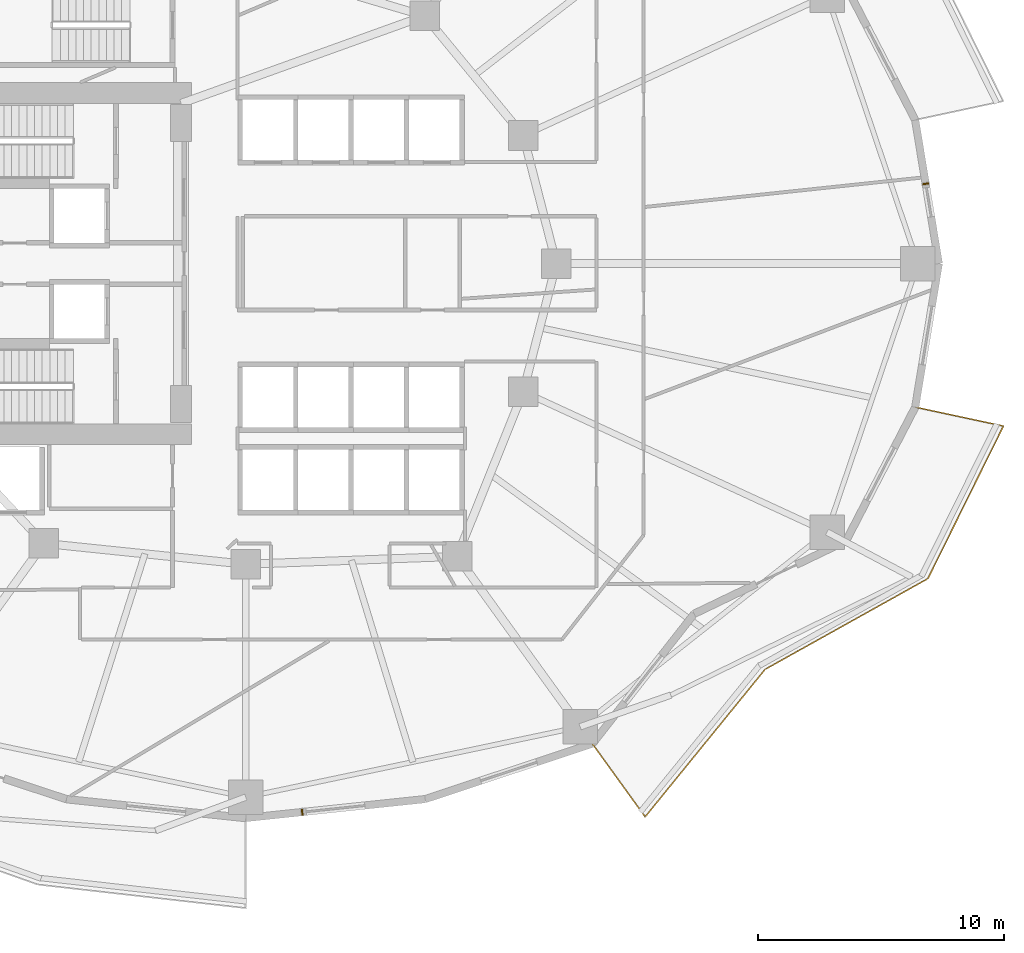
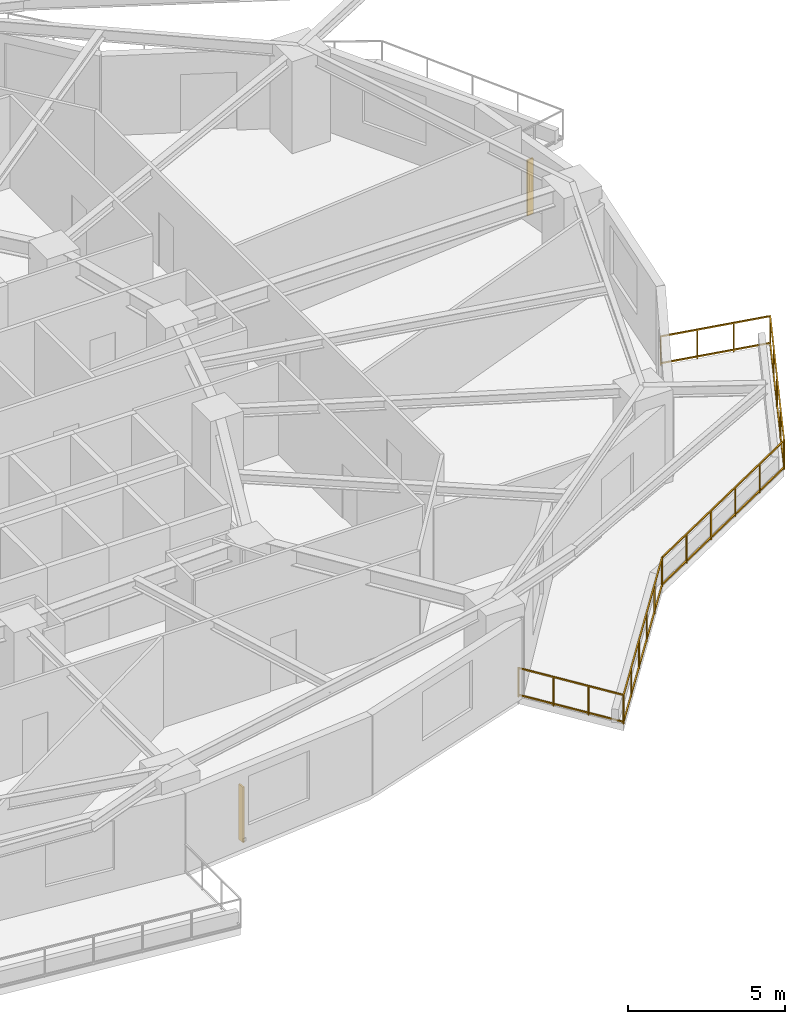
# One storey, part 12 of 14: 2 shading devices, 1 railing.
"""IFC4 building model written with IfcOpenShell, lengths in metres."""

from ifc_helpers import new_model, si_unit, direction, frame, origin, origin_2d, place, context, subcontext, project, spatial, rectangle, extrude, material, type_object, element, save


model = new_model("IFC4")

# Units and contexts
model_context = context("Model", 3, precision=1e-05, world=origin(), true_north=direction((0.0, 1.0)))
body_context = subcontext(model_context, "Body", "Model", "MODEL_VIEW")
ifc_project = project(units=[si_unit("LENGTHUNIT", "METRE"), si_unit("AREAUNIT", "SQUARE_METRE"), si_unit("VOLUMEUNIT", "CUBIC_METRE"), si_unit("PLANEANGLEUNIT", "RADIAN"), si_unit("MASSUNIT", "GRAM", prefix="KILO")], contexts=[model_context])

# Site, building, storey
site_placement = place(None, origin())
site = spatial("IfcSite", under=ifc_project, at=site_placement, CompositionType="ELEMENT")
building_placement = place(site_placement, origin())
building = spatial("IfcBuilding", under=site, at=building_placement, Name="Kolvaren Gate Tower and Convention Centre", CompositionType="ELEMENT")
storey_placement = place(building_placement, frame((0.0, 0.0, 41.89990234375)))
storey = spatial("IfcBuildingStorey", under=building, at=storey_placement, Name="L09", CompositionType="ELEMENT", Elevation=41.89990234375)

# Railing
ifc_material_1 = material(Name="Brushed Stainless Steel Grade 316L", Category="steel")
railing_type = type_object("IfcRailingType", Name="ARCH-RL-GUARD-1150", PredefinedType="GUARDRAIL", material=ifc_material_1)
railing_placement = place(storey_placement, frame((44.1875, 7.514404296875, 0.0)))
element("IfcRailing", 1, at=railing_placement, inside=storey, type_object=railing_type, Name="Tower L09 Terrace Perimeter Guardrail GR-4", PredefinedType="GUARDRAIL", context=body_context, shape_type="SweptSolid", body=[
    extrude(rectangle(XDim=0.048095703125, YDim=0.048095703125, at=origin_2d()), frame((0.016357421875, -0.022705078125, 1.1259765625), z_axis=(0.585212870465, -0.810879705161, 0.0), x_axis=(0.810879705161, 0.585212870465, 0.0)), (0.0, 0.0, 1.0), 3.603759765625),
    extrude(rectangle(XDim=0.048095703125, YDim=0.048095703125, at=origin_2d()), frame((0.016357421875, -0.022705078125, 0.083984375), z_axis=(0.585212870465, -0.810879705161, 0.0), x_axis=(0.810879705161, 0.585212870465, 0.0)), (0.0, 0.0, 1.0), 3.603759765625),
    extrude(rectangle(XDim=0.048095703125, YDim=0.048095703125, at=origin_2d()), frame((2.159423828125, -2.946044921875, 1.1259765625), z_axis=(0.631012936188, 0.775772308324, 0.0), x_axis=(-0.775772308324, 0.631012936188, 0.0)), (0.0, 0.0, 1.0), 7.661376953125),
    extrude(rectangle(XDim=0.048095703125, YDim=0.048095703125, at=origin_2d()), frame((2.159423828125, -2.946044921875, 0.083984375), z_axis=(0.631012936188, 0.775772308324, 0.0), x_axis=(-0.775772308324, 0.631012936188, 0.0)), (0.0, 0.0, 1.0), 7.661376953125),
    extrude(rectangle(XDim=0.048095703125, YDim=0.048095703125, at=origin_2d()), frame((7.0361328125, 3.032958984375, 1.1259765625), z_axis=(0.873486390754, 0.486848564923, 0.0), x_axis=(-0.486848564923, 0.873486390754, 0.0)), (0.0, 0.0, 1.0), 7.506103515625),
    extrude(rectangle(XDim=0.048095703125, YDim=0.048095703125, at=origin_2d()), frame((7.0361328125, 3.032958984375, 0.083984375), z_axis=(0.873486390754, 0.486848564923, 0.0), x_axis=(-0.486848564923, 0.873486390754, 0.0)), (0.0, 0.0, 1.0), 7.506103515625),
    extrude(rectangle(XDim=0.048095703125, YDim=0.048095703125, at=origin_2d()), frame((13.629638671875, 6.72607421875, 1.1259765625), z_axis=(0.443578479433, 0.8962355341, 0.0), x_axis=(-0.8962355341, 0.443578479433, 0.0)), (0.0, 0.0, 1.0), 6.855224609375),
    extrude(rectangle(XDim=0.048095703125, YDim=0.048095703125, at=origin_2d()), frame((13.629638671875, 6.72607421875, 0.083984375), z_axis=(0.443578479433, 0.8962355341, 0.0), x_axis=(-0.8962355341, 0.443578479433, 0.0)), (0.0, 0.0, 1.0), 6.855224609375),
    extrude(rectangle(XDim=0.048095703125, YDim=0.048095703125, at=origin_2d()), frame((16.655517578125, 12.90087890625, 1.1259765625), z_axis=(-0.977788745232, 0.209592866525, 0.0), x_axis=(-0.209592866525, -0.977788745232, 0.0)), (0.0, 0.0, 1.0), 3.603759765625),
    extrude(rectangle(XDim=0.048095703125, YDim=0.048095703125, at=origin_2d()), frame((16.655517578125, 12.90087890625, 0.083984375), z_axis=(-0.977788745232, 0.209592866525, 0.0), x_axis=(-0.209592866525, -0.977788745232, 0.0)), (0.0, 0.0, 1.0), 3.603759765625),
    extrude(rectangle(XDim=0.0419921875, YDim=0.0419921875, at=origin_2d()), origin(), (0.0, 0.0, 1.0), 1.14990234375),
    extrude(rectangle(XDim=0.0419921875, YDim=0.0419921875, at=origin_2d()), frame((2.141845703125, -2.9677734375, 0.0)), (0.0, 0.0, 1.0), 1.14990234375),
    extrude(rectangle(XDim=0.0419921875, YDim=0.0419921875, at=origin_2d()), frame((0.7138671875, -0.9892578125, 0.0)), (0.0, 0.0, 1.0), 1.099853515625),
    extrude(rectangle(XDim=0.0419921875, YDim=0.0419921875, at=origin_2d()), frame((1.427978515625, -1.978515625, 0.0)), (0.0, 0.0, 1.0), 1.099853515625),
    extrude(rectangle(XDim=0.0419921875, YDim=0.0419921875, at=origin_2d()), frame((7.01171875, 3.019287109375, 0.0)), (0.0, 0.0, 1.0), 1.14990234375),
    extrude(rectangle(XDim=0.0419921875, YDim=0.0419921875, at=origin_2d()), frame((3.11572265625, -1.770263671875, 0.0)), (0.0, 0.0, 1.0), 1.099853515625),
    extrude(rectangle(XDim=0.0419921875, YDim=0.0419921875, at=origin_2d()), frame((4.08984375, -0.572998046875, 0.0)), (0.0, 0.0, 1.0), 1.099853515625),
    extrude(rectangle(XDim=0.0419921875, YDim=0.0419921875, at=origin_2d()), frame((5.063720703125, 0.62451171875, 0.0)), (0.0, 0.0, 1.0), 1.099853515625),
    extrude(rectangle(XDim=0.0419921875, YDim=0.0419921875, at=origin_2d()), frame((6.037841796875, 1.82177734375, 0.0)), (0.0, 0.0, 1.0), 1.099853515625),
    extrude(rectangle(XDim=0.0419921875, YDim=0.0419921875, at=origin_2d()), frame((13.6171875, 6.700927734375, 0.0)), (0.0, 0.0, 1.0), 1.14990234375),
    extrude(rectangle(XDim=0.0419921875, YDim=0.0419921875, at=origin_2d()), frame((8.332763671875, 3.755615234375, 0.0)), (0.0, 0.0, 1.0), 1.099853515625),
    extrude(rectangle(XDim=0.0419921875, YDim=0.0419921875, at=origin_2d()), frame((9.65380859375, 4.491943359375, 0.0)), (0.0, 0.0, 1.0), 1.099853515625),
    extrude(rectangle(XDim=0.0419921875, YDim=0.0419921875, at=origin_2d()), frame((10.97509765625, 5.228271484375, 0.0)), (0.0, 0.0, 1.0), 1.099853515625),
    extrude(rectangle(XDim=0.0419921875, YDim=0.0419921875, at=origin_2d()), frame((12.296142578125, 5.964599609375, 0.0)), (0.0, 0.0, 1.0), 1.099853515625),
    extrude(rectangle(XDim=0.0419921875, YDim=0.0419921875, at=origin_2d()), frame((16.682861328125, 12.89501953125, 0.0)), (0.0, 0.0, 1.0), 1.14990234375),
    extrude(rectangle(XDim=0.0419921875, YDim=0.0419921875, at=origin_2d()), frame((14.383544921875, 8.24951171875, 0.0)), (0.0, 0.0, 1.0), 1.099853515625),
    extrude(rectangle(XDim=0.0419921875, YDim=0.0419921875, at=origin_2d()), frame((15.14990234375, 9.7978515625, 0.0)), (0.0, 0.0, 1.0), 1.099853515625),
    extrude(rectangle(XDim=0.0419921875, YDim=0.0419921875, at=origin_2d()), frame((15.91650390625, 11.346435546875, 0.0)), (0.0, 0.0, 1.0), 1.099853515625),
    extrude(rectangle(XDim=0.0419921875, YDim=0.0419921875, at=origin_2d()), frame((13.104248046875, 13.662109375, 0.0)), (0.0, 0.0, 1.0), 1.14990234375),
    extrude(rectangle(XDim=0.0419921875, YDim=0.0419921875, at=origin_2d()), frame((15.489990234375, 13.150634765625, 0.0)), (0.0, 0.0, 1.0), 1.099853515625),
    extrude(rectangle(XDim=0.0419921875, YDim=0.0419921875, at=origin_2d()), frame((14.297119140625, 13.406494140625, 0.0)), (0.0, 0.0, 1.0), 1.099853515625),
])

# Shading devices
ifc_material_2 = material(Name="Kiln-Fired Bogota Terracotta Ceramic Louvre Profile", Category="masonry")
shading_device_type = type_object("IfcShadingDeviceType", Name="ARCH-SHD-FIN-180", PredefinedType="JALOUSIE", material=ifc_material_2)
for number, where, z_axis, x_axis, name in (
    (2, (57.717041015625, 30.23828125, 0.22021484375), (0.0, 0.0, 1.0), (0.162377123682, -0.986728772108, 0.0), "Ceramic Vertical Brise-Soleil Fin FN-L09-00"),
    (3, (32.412353515625, 4.740966796875, 0.22021484375), (0.0, 0.0, 1.0), (0.994498884311, 0.104747167526, 0.0), "Ceramic Vertical Brise-Soleil Fin FN-L09-18"),
):
    element("IfcShadingDevice", number, at=place(storey_placement, frame(where, z_axis=z_axis, x_axis=x_axis)), inside=storey, type_object=shading_device_type, Name=name, PredefinedType="JALOUSIE", context=body_context, shape_type="SweptSolid", body=[
        extrude(rectangle(XDim=0.06005859375, YDim=0.239990234375, at=origin_2d()), origin(), (0.0, 0.0, 1.0), 2.14990234375),
    ])

save(model, "model.ifc")
